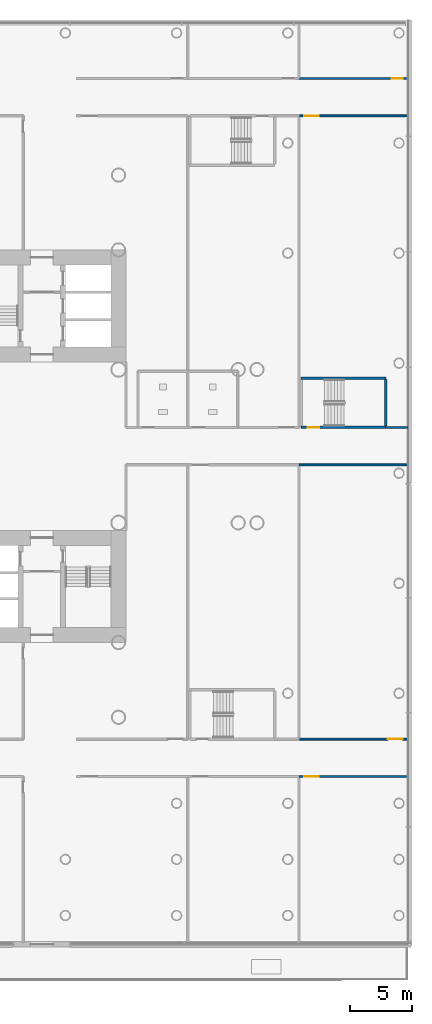
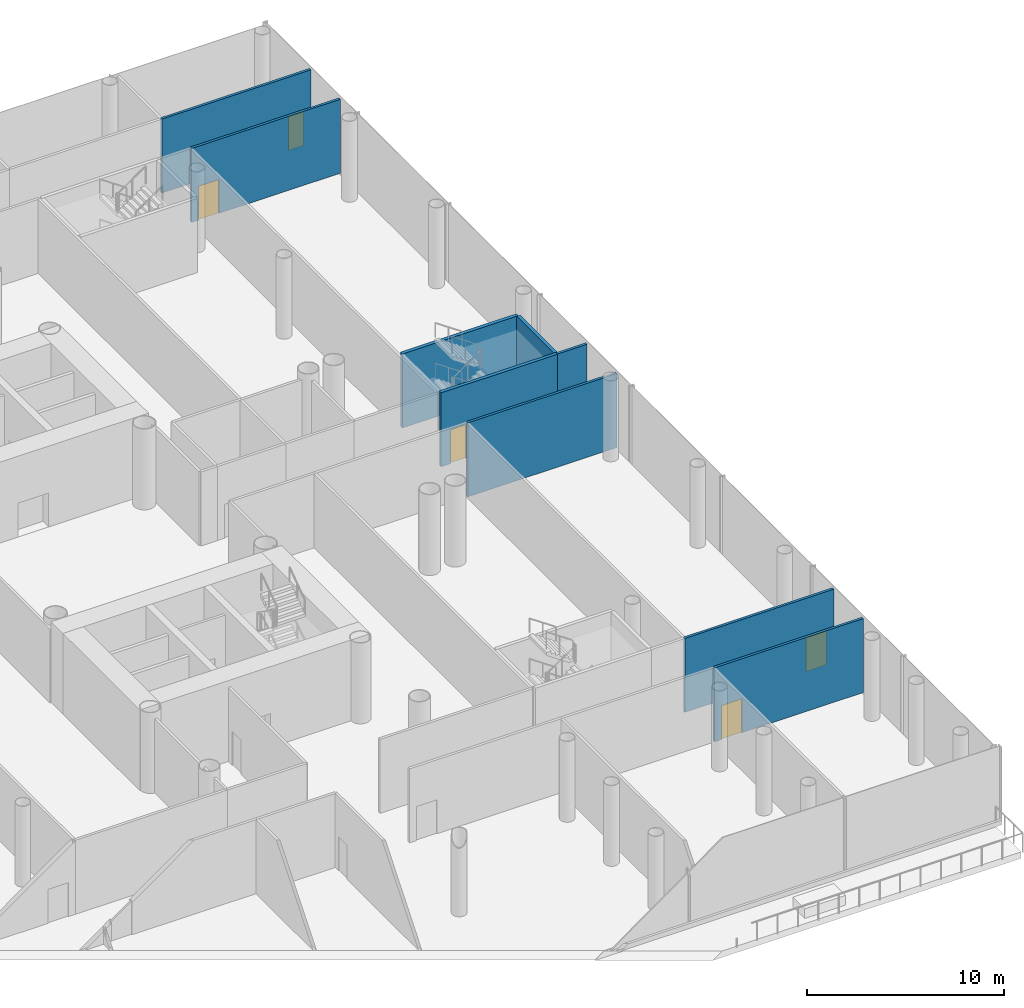
# One storey, part 25 of 59: 9 walls, 5 doors, 5 openings.
"""IFC4 building model written with IfcOpenShell, lengths in metres."""

from ifc_helpers import new_model, si_unit, direction, frame, frame_2d, origin, place, context, subcontext, project, spatial, rectangle, extrude, material, layer, layer_set, type_object, element, fill, save


model = new_model("IFC4")

# Units and contexts
model_context = context("Model", 3, precision=1e-05, world=origin(), true_north=direction((0.0, 1.0)))
body_context = subcontext(model_context, "Body", "Model", "MODEL_VIEW")
ifc_project = project(units=[si_unit("LENGTHUNIT", "METRE"), si_unit("AREAUNIT", "SQUARE_METRE"), si_unit("VOLUMEUNIT", "CUBIC_METRE"), si_unit("PLANEANGLEUNIT", "RADIAN"), si_unit("MASSUNIT", "GRAM", prefix="KILO")], contexts=[model_context])

# Site, building, storey
site_placement = place(None, origin())
site = spatial("IfcSite", under=ifc_project, at=site_placement, CompositionType="ELEMENT")
building_placement = place(site_placement, origin())
building = spatial("IfcBuilding", under=site, at=building_placement, Name="Ipe Terrace Towers", CompositionType="ELEMENT")
storey_placement = place(building_placement, frame((0.0, 0.0, 6.0)))
storey = spatial("IfcBuildingStorey", under=building, at=storey_placement, Name="L01", CompositionType="ELEMENT", Elevation=6.0)

# Wall, opening, door
ifc_material_1 = material(Name="Gypsum board partition", Category="plasterboard")
ifc_layer_1 = layer(ifc_material_1, 0.14990234375)
ifc_layer_set_1 = layer_set([ifc_layer_1], Name="Gypsum board partition 150 mm")
wall_type_1 = type_object("IfcWallType", Name="Gypsum board partition 150 mm", PredefinedType="PARTITIONING", material=ifc_layer_set_1)
wall_1_placement = place(storey_placement, frame((56.6298828125, -26.5, 0.0), z_axis=(0.0, 0.0, 1.0), x_axis=(1.0, 0.0, 0.0)))
wall_1 = element("IfcWall", 1, at=wall_1_placement, inside=storey, type_object=wall_type_1, Name="Gypsum board partition T2 L01 pd-r55-w69", PredefinedType="PARTITIONING", context=body_context, shape_type="SweptSolid", body=[
    extrude(rectangle(XDim=8.72021484375, YDim=0.14990234375, at=frame_2d((4.360107421875, 0.0))), origin(), (0.0, 0.0, 1.0), 4.580078125),
])
opening_1_placement = place(wall_1_placement, frame((0.39990234375, 0.0, 0.0)))
opening_1 = element("IfcOpeningElement", 2, at=opening_1_placement, cuts=wall_1, Name="Opening PD-L01-r55", PredefinedType="OPENING", context=body_context, shape_type="SweptSolid", body=[
    extrude(rectangle(XDim=1.199951171875, YDim=2.10009765625, at=frame_2d((0.60009765625, 1.050048828125))), frame((0.0, 0.0849609375, 0.0), z_axis=(0.0, -1.0, 0.0), x_axis=(1.0, 0.0, 0.0)), (0.0, 0.0, 1.0), 0.169921875),
])
ifc_material_2 = material(Name="Fire-rated timber door leaf", Category="wood")
door_type_1 = type_object("IfcDoorType", Name="Lounge door 1200 x 2100 FD30S", OperationType="NOTDEFINED", PredefinedType="DOOR", material=ifc_material_2)
door_1_placement = place(opening_1_placement, origin())
door_1 = element("IfcDoor", 3, at=door_1_placement, inside=storey, type_object=door_type_1, Name="Lounge door PD-L01-r55", OperationType="SINGLE_SWING_RIGHT", OverallHeight=2.10009765625, OverallWidth=1.199951171875, PredefinedType="DOOR", context=body_context, shape_type="SweptSolid", body=[
    extrude(rectangle(XDim=1.199951171875, YDim=2.10009765625, at=frame_2d((0.60009765625, 1.050048828125))), frame((0.0, 0.02490234375, 0.0), z_axis=(0.0, -1.0, 0.0), x_axis=(1.0, 0.0, 0.0)), (0.0, 0.0, 1.0), 0.050048828125),
])
fill(opening_1, door_1)

wall_2_placement = place(storey_placement, frame((65.35009765625, -23.5, 0.0), z_axis=(0.0, 0.0, 1.0), x_axis=(-1.0, 0.0, 0.0)))
wall_2 = element("IfcWall", 4, at=wall_2_placement, inside=storey, type_object=wall_type_1, Name="Gypsum board partition T2 L01 pd-r56-w70", PredefinedType="PARTITIONING", context=body_context, shape_type="SweptSolid", body=[
    extrude(rectangle(XDim=8.72021484375, YDim=0.14990234375, at=frame_2d((4.360107421875, 0.0))), origin(), (0.0, 0.0, 1.0), 4.580078125),
])
opening_2_placement = place(wall_2_placement, frame((0.39990234375, 0.0, 0.0)))
opening_2 = element("IfcOpeningElement", 5, at=opening_2_placement, cuts=wall_2, Name="Opening PD-L01-r56", PredefinedType="OPENING", context=body_context, shape_type="SweptSolid", body=[
    extrude(rectangle(XDim=1.199951171875, YDim=2.10009765625, at=frame_2d((0.60009765625, 1.050048828125))), frame((0.0, 0.0849609375, 0.0), z_axis=(0.0, -1.0, 0.0), x_axis=(1.0, 0.0, 0.0)), (0.0, 0.0, 1.0), 0.169921875),
])
door_2_placement = place(opening_2_placement, origin())
door_2 = element("IfcDoor", 6, at=door_2_placement, inside=storey, type_object=door_type_1, Name="Lounge door PD-L01-r56", OperationType="SINGLE_SWING_RIGHT", OverallHeight=2.10009765625, OverallWidth=1.199951171875, PredefinedType="DOOR", context=body_context, shape_type="SweptSolid", body=[
    extrude(rectangle(XDim=1.199951171875, YDim=2.10009765625, at=frame_2d((0.60009765625, 1.050048828125))), frame((0.0, 0.02490234375, 0.0), z_axis=(0.0, -1.0, 0.0), x_axis=(1.0, 0.0, 0.0)), (0.0, 0.0, 1.0), 0.050048828125),
])
fill(opening_2, door_2)

# Wall
wall_3_placement = place(storey_placement, frame((56.6298828125, -1.5, 0.0), z_axis=(0.0, 0.0, 1.0), x_axis=(1.0, 0.0, 0.0)))
element("IfcWall", 7, at=wall_3_placement, inside=storey, type_object=wall_type_1, Name="Gypsum board partition T2 L01 pd-r56-w71", PredefinedType="PARTITIONING", context=body_context, shape_type="SweptSolid", body=[
    extrude(rectangle(XDim=8.72021484375, YDim=0.14990234375, at=frame_2d((4.360107421875, 0.0))), origin(), (0.0, 0.0, 1.0), 4.580078125),
])

# Wall, opening, door
wall_4_placement = place(storey_placement, frame((65.35009765625, 29.5, 0.0), z_axis=(0.0, 0.0, 1.0), x_axis=(-1.0, 0.0, 0.0)))
wall_4 = element("IfcWall", 8, at=wall_4_placement, inside=storey, type_object=wall_type_1, Name="Gypsum board partition T2 L01 pd-r57-w72", PredefinedType="PARTITIONING", context=body_context, shape_type="SweptSolid", body=[
    extrude(rectangle(XDim=8.72021484375, YDim=0.14990234375, at=frame_2d((4.360107421875, 0.0))), origin(), (0.0, 0.0, 1.0), 4.580078125),
])
opening_3_placement = place(wall_4_placement, frame((0.39990234375, 0.0, 0.0)))
opening_3 = element("IfcOpeningElement", 9, at=opening_3_placement, cuts=wall_4, Name="Opening PD-L01-r57", PredefinedType="OPENING", context=body_context, shape_type="SweptSolid", body=[
    extrude(rectangle(XDim=0.89990234375, YDim=2.10009765625, at=frame_2d((0.449951171875, 1.050048828125))), frame((0.0, 0.0849609375, 0.0), z_axis=(0.0, -1.0, 0.0), x_axis=(1.0, 0.0, 0.0)), (0.0, 0.0, 1.0), 0.169921875),
])
ifc_material_3 = material(Name="Fire-rated timber door leaf", Category="wood")
door_type_2 = type_object("IfcDoorType", Name="Lounge door 900 x 2100 FD30S", OperationType="NOTDEFINED", PredefinedType="DOOR", material=ifc_material_3)
door_3_placement = place(opening_3_placement, origin())
door_3 = element("IfcDoor", 10, at=door_3_placement, inside=storey, type_object=door_type_2, Name="Lounge door PD-L01-r57", OperationType="SINGLE_SWING_RIGHT", OverallHeight=2.10009765625, OverallWidth=0.89990234375, PredefinedType="DOOR", context=body_context, shape_type="SweptSolid", body=[
    extrude(rectangle(XDim=0.89990234375, YDim=2.10009765625, at=frame_2d((0.449951171875, 1.050048828125))), frame((0.0, 0.02490234375, 0.0), z_axis=(0.0, -1.0, 0.0), x_axis=(1.0, 0.0, 0.0)), (0.0, 0.0, 1.0), 0.050048828125),
])
fill(opening_3, door_3)

wall_5_placement = place(storey_placement, frame((56.6298828125, 26.5, 0.0), z_axis=(0.0, 0.0, 1.0), x_axis=(1.0, 0.0, 0.0)))
wall_5 = element("IfcWall", 11, at=wall_5_placement, inside=storey, type_object=wall_type_1, Name="Gypsum board partition T2 L01 pd-r58-w73", PredefinedType="PARTITIONING", context=body_context, shape_type="SweptSolid", body=[
    extrude(rectangle(XDim=8.72021484375, YDim=0.14990234375, at=frame_2d((4.360107421875, 0.0))), origin(), (0.0, 0.0, 1.0), 4.580078125),
])
opening_4_placement = place(wall_5_placement, frame((0.39990234375, 0.0, 0.0)))
opening_4 = element("IfcOpeningElement", 12, at=opening_4_placement, cuts=wall_5, Name="Opening PD-L01-r58", PredefinedType="OPENING", context=body_context, shape_type="SweptSolid", body=[
    extrude(rectangle(XDim=1.199951171875, YDim=2.10009765625, at=frame_2d((0.60009765625, 1.050048828125))), frame((0.0, 0.0849609375, 0.0), z_axis=(0.0, -1.0, 0.0), x_axis=(1.0, 0.0, 0.0)), (0.0, 0.0, 1.0), 0.169921875),
])
door_4_placement = place(opening_4_placement, origin())
door_4 = element("IfcDoor", 13, at=door_4_placement, inside=storey, type_object=door_type_1, Name="Lounge door PD-L01-r58", OperationType="SINGLE_SWING_RIGHT", OverallHeight=2.10009765625, OverallWidth=1.199951171875, PredefinedType="DOOR", context=body_context, shape_type="SweptSolid", body=[
    extrude(rectangle(XDim=1.199951171875, YDim=2.10009765625, at=frame_2d((0.60009765625, 1.050048828125))), frame((0.0, 0.02490234375, 0.0), z_axis=(0.0, -1.0, 0.0), x_axis=(1.0, 0.0, 0.0)), (0.0, 0.0, 1.0), 0.050048828125),
])
fill(opening_4, door_4)

# Wall
wall_6_placement = place(storey_placement, frame((65.35009765625, 1.5, 0.0), z_axis=(0.0, 0.0, 1.0), x_axis=(-1.0, 0.0, 0.0)))
element("IfcWall", 14, at=wall_6_placement, inside=storey, type_object=wall_type_1, Name="Gypsum board partition T2 L01 pd-r58-w74", PredefinedType="PARTITIONING", context=body_context, shape_type="SweptSolid", body=[
    extrude(rectangle(XDim=1.760009765625, YDim=0.14990234375, at=frame_2d((0.8798828125, 0.0))), origin(), (0.0, 0.0, 1.0), 4.580078125),
])

# Wall, opening, door
ifc_material_4 = material(Name="Concrete C40/50", Category="concrete")
ifc_layer_2 = layer(ifc_material_4, 0.199951171875)
ifc_layer_set_2 = layer_set([ifc_layer_2], Name="RW200 PODIUM STAIR SHAFT WALL 200 C40-50")
wall_type_2 = type_object("IfcWallType", Name="RW200 PODIUM STAIR SHAFT WALL 200 C40-50", PredefinedType="SHEAR", material=ifc_layer_set_2)
wall_7_placement = place(storey_placement, frame((56.7900390625, 1.5, 0.0), z_axis=(0.0, 0.0, 1.0), x_axis=(1.0, 0.0, 0.0)))
wall_7 = element("IfcWall", 15, at=wall_7_placement, inside=storey, type_object=wall_type_2, Name="Stair shaft wall T2 L01 ps8-c", PredefinedType="SHEAR", context=body_context, shape_type="SweptSolid", body=[
    extrude(rectangle(XDim=6.800048828125, YDim=0.199951171875, at=frame_2d((3.39990234375, 0.0))), origin(), (0.0, 0.0, 1.0), 4.580078125),
])
opening_5_placement = place(wall_7_placement, frame((0.550048828125, 0.0, 0.0)))
opening_5 = element("IfcOpeningElement", 16, at=opening_5_placement, cuts=wall_7, Name="Opening PS8-SD", PredefinedType="OPENING", context=body_context, shape_type="SweptSolid", body=[
    extrude(rectangle(XDim=0.89990234375, YDim=2.10009765625, at=frame_2d((0.449951171875, 1.050048828125))), frame((0.0, 0.10986328125, 0.0), z_axis=(0.0, -1.0, 0.0), x_axis=(1.0, 0.0, 0.0)), (0.0, 0.0, 1.0), 0.219970703125),
])
ifc_material_5 = material(Name="Fire-rated timber door leaf", Category="wood")
door_type_3 = type_object("IfcDoorType", Name="Stair door 900 x 2100 FD60", OperationType="NOTDEFINED", PredefinedType="DOOR", material=ifc_material_5)
door_5_placement = place(opening_5_placement, origin())
door_5 = element("IfcDoor", 17, at=door_5_placement, inside=storey, type_object=door_type_3, Name="Stair door PS8-SD", OperationType="SINGLE_SWING_RIGHT", OverallHeight=2.10009765625, OverallWidth=0.89990234375, PredefinedType="DOOR", context=body_context, shape_type="SweptSolid", body=[
    extrude(rectangle(XDim=0.89990234375, YDim=2.10009765625, at=frame_2d((0.449951171875, 1.050048828125))), frame((0.0, 0.02490234375, 0.0), z_axis=(0.0, -1.0, 0.0), x_axis=(1.0, 0.0, 0.0)), (0.0, 0.0, 1.0), 0.050048828125),
])
fill(opening_5, door_5)

# Walls
wall_8_placement = place(storey_placement, frame((56.7900390625, 5.449951171875, 0.0), z_axis=(0.0, 0.0, 1.0), x_axis=(1.0, 0.0, 0.0)))
element("IfcWall", 18, at=wall_8_placement, inside=storey, type_object=wall_type_2, Name="Stair shaft wall T2 L01 ps8-f", PredefinedType="SHEAR", context=body_context, shape_type="SweptSolid", body=[
    extrude(rectangle(XDim=6.800048828125, YDim=0.199951171875, at=frame_2d((3.39990234375, 0.0))), origin(), (0.0, 0.0, 1.0), 4.580078125),
])
wall_9_placement = place(storey_placement, frame((63.590087890625, 1.60009765625, 0.0), z_axis=(0.0, 0.0, 1.0), x_axis=(0.0, 1.0, 0.0)))
element("IfcWall", 19, at=wall_9_placement, inside=storey, type_object=wall_type_2, Name="Stair shaft wall T2 L01 ps8-e", PredefinedType="SHEAR", context=body_context, shape_type="SweptSolid", body=[
    extrude(rectangle(XDim=3.75, YDim=0.199951171875, at=frame_2d((1.875, 0.0))), origin(), (0.0, 0.0, 1.0), 4.580078125),
])

save(model, "model.ifc")
